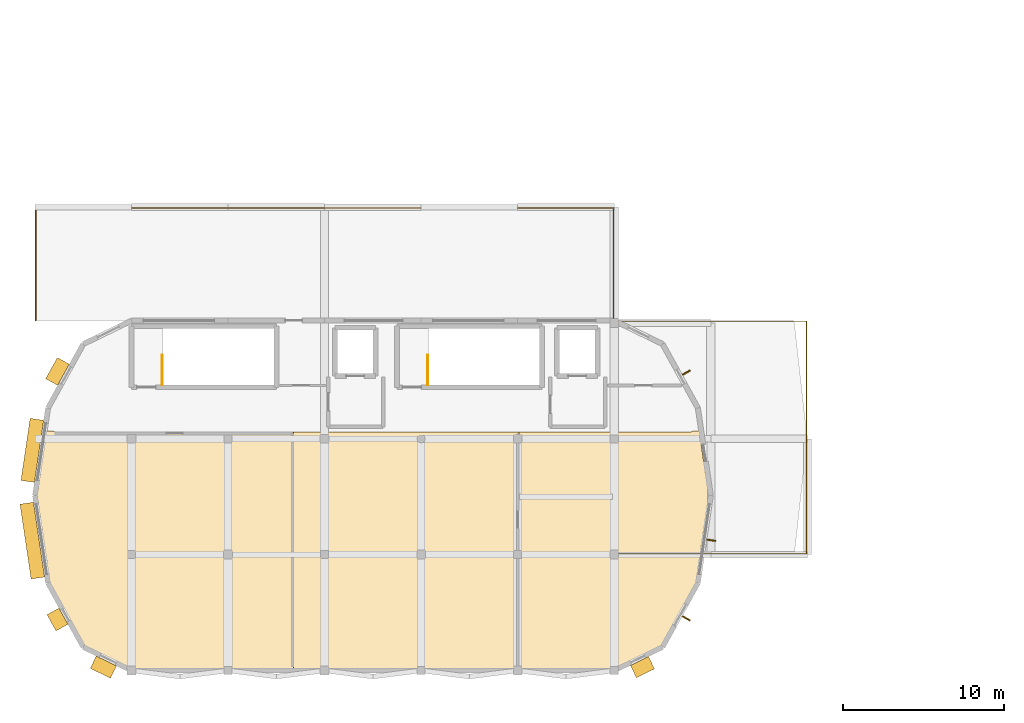
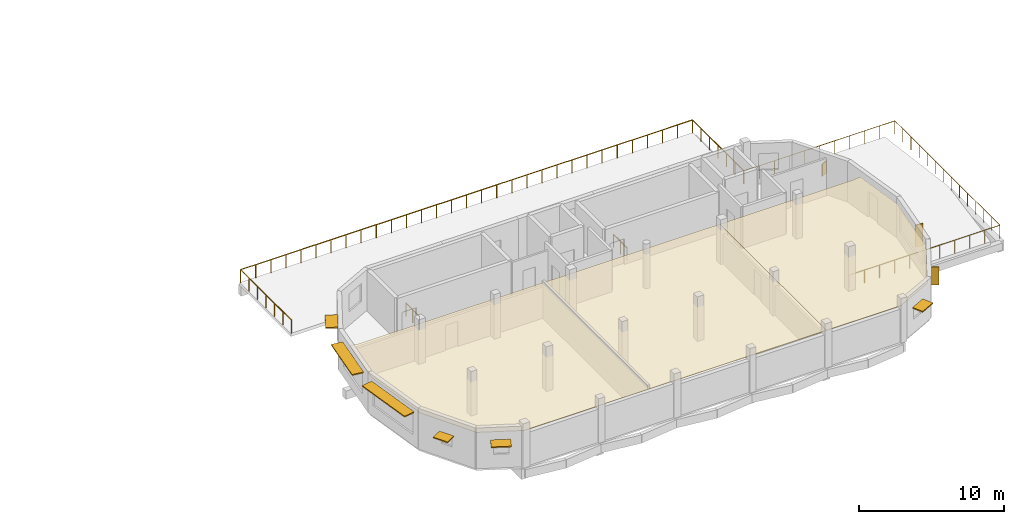
# One storey, part 4 of 4: 9 shading devices, 4 railings, 3 coverings.
"""IFC4 building model written with IfcOpenShell, lengths in metres."""

from ifc_helpers import new_model, si_unit, direction, frame, origin, origin_2d, place, context, subcontext, project, spatial, polyline, rectangle, circle, outline, extrude, material, layer, layer_set, type_object, element, save


model = new_model("IFC4")

# Units and contexts
model_context = context("Model", 3, precision=1e-05, world=origin(), true_north=direction((0.0, 1.0)))
body_context = subcontext(model_context, "Body", "Model", "MODEL_VIEW")
ifc_project = project(units=[si_unit("LENGTHUNIT", "METRE"), si_unit("AREAUNIT", "SQUARE_METRE"), si_unit("VOLUMEUNIT", "CUBIC_METRE"), si_unit("PLANEANGLEUNIT", "RADIAN"), si_unit("MASSUNIT", "GRAM", prefix="KILO")], contexts=[model_context])

# Site, building, storey
site_placement = place(None, origin())
site = spatial("IfcSite", under=ifc_project, at=site_placement, CompositionType="ELEMENT")
building_placement = place(site_placement, origin())
building = spatial("IfcBuilding", under=site, at=building_placement, Name="Dunvalen Ferry Terminal", CompositionType="ELEMENT")
storey_placement = place(building_placement, frame((0.0, 0.0, 17.320068359375)))
storey = spatial("IfcBuildingStorey", under=building, at=storey_placement, Name="L04", CompositionType="ELEMENT", Elevation=17.320068359375)

# Railings
ifc_material_1 = material(Name="Marine grade 316 stainless steel", Category="steel")
railing_type_1 = type_object("IfcRailingType", Name="ENV-RL-BAL112", PredefinedType="BALUSTRADE", material=ifc_material_1)
railing_1_placement = place(storey_placement, frame((54.0, 7.25, 0.0)))
element("IfcRailing", 1, at=railing_1_placement, inside=storey, type_object=railing_type_1, Name="L04 Outdoor Terrace Safety Guard GRD-V5L04-TERE", PredefinedType="BALUSTRADE", context=body_context, shape_type="SweptSolid", body=[
    extrude(circle(Radius=0.02392578125, at=origin_2d()), frame((0.0, 0.0, 1.09619140625), z_axis=(1.0, 0.0, 0.0), x_axis=(0.0, 1.0, 0.0)), (0.0, 0.0, 1.0), 11.949951171875),
    extrude(circle(Radius=0.02392578125, at=origin_2d()), frame((11.949951171875, 0.0, 1.09619140625), z_axis=(0.0, 1.0, 0.0), x_axis=(-1.0, 0.0, 0.0)), (0.0, 0.0, 1.0), 14.449951171875),
    extrude(circle(Radius=0.02392578125, at=origin_2d()), frame((11.949951171875, 14.449951171875, 1.09619140625), z_axis=(-1.0, 0.0, 0.0), x_axis=(0.0, -1.0, 0.0)), (0.0, 0.0, 1.0), 11.949951171875),
    extrude(circle(Radius=0.02099609375, at=origin_2d()), origin(), (0.0, 0.0, 1.0), 1.072021484375),
    extrude(circle(Radius=0.02099609375, at=origin_2d()), frame((1.195068359375, 0.0, 0.0)), (0.0, 0.0, 1.0), 1.072021484375),
    extrude(circle(Radius=0.02099609375, at=origin_2d()), frame((2.389892578125, 0.0, 0.0)), (0.0, 0.0, 1.0), 1.072021484375),
    extrude(circle(Radius=0.02099609375, at=origin_2d()), frame((3.5849609375, 0.0, 0.0)), (0.0, 0.0, 1.0), 1.072021484375),
    extrude(circle(Radius=0.02099609375, at=origin_2d()), frame((4.780029296875, 0.0, 0.0)), (0.0, 0.0, 1.0), 1.072021484375),
    extrude(circle(Radius=0.02099609375, at=origin_2d()), frame((5.97509765625, 0.0, 0.0)), (0.0, 0.0, 1.0), 1.072021484375),
    extrude(circle(Radius=0.02099609375, at=origin_2d()), frame((7.169921875, 0.0, 0.0)), (0.0, 0.0, 1.0), 1.072021484375),
    extrude(circle(Radius=0.02099609375, at=origin_2d()), frame((8.364990234375, 0.0, 0.0)), (0.0, 0.0, 1.0), 1.072021484375),
    extrude(circle(Radius=0.02099609375, at=origin_2d()), frame((9.56005859375, 0.0, 0.0)), (0.0, 0.0, 1.0), 1.072021484375),
    extrude(circle(Radius=0.02099609375, at=origin_2d()), frame((10.7548828125, 0.0, 0.0)), (0.0, 0.0, 1.0), 1.072021484375),
    extrude(circle(Radius=0.02099609375, at=origin_2d()), frame((11.949951171875, 0.0, 0.0)), (0.0, 0.0, 1.0), 1.072021484375),
    extrude(circle(Radius=0.02099609375, at=origin_2d()), frame((11.949951171875, 1.111572265625, 0.0)), (0.0, 0.0, 1.0), 1.072021484375),
    extrude(circle(Radius=0.02099609375, at=origin_2d()), frame((11.949951171875, 2.22314453125, 0.0)), (0.0, 0.0, 1.0), 1.072021484375),
    extrude(circle(Radius=0.02099609375, at=origin_2d()), frame((11.949951171875, 3.334716796875, 0.0)), (0.0, 0.0, 1.0), 1.072021484375),
    extrude(circle(Radius=0.02099609375, at=origin_2d()), frame((11.949951171875, 4.446044921875, 0.0)), (0.0, 0.0, 1.0), 1.072021484375),
    extrude(circle(Radius=0.02099609375, at=origin_2d()), frame((11.949951171875, 5.5576171875, 0.0)), (0.0, 0.0, 1.0), 1.072021484375),
    extrude(circle(Radius=0.02099609375, at=origin_2d()), frame((11.949951171875, 6.669189453125, 0.0)), (0.0, 0.0, 1.0), 1.072021484375),
    extrude(circle(Radius=0.02099609375, at=origin_2d()), frame((11.949951171875, 7.78076171875, 0.0)), (0.0, 0.0, 1.0), 1.072021484375),
    extrude(circle(Radius=0.02099609375, at=origin_2d()), frame((11.949951171875, 8.892333984375, 0.0)), (0.0, 0.0, 1.0), 1.072021484375),
    extrude(circle(Radius=0.02099609375, at=origin_2d()), frame((11.949951171875, 10.00390625, 0.0)), (0.0, 0.0, 1.0), 1.072021484375),
    extrude(circle(Radius=0.02099609375, at=origin_2d()), frame((11.949951171875, 11.115234375, 0.0)), (0.0, 0.0, 1.0), 1.072021484375),
    extrude(circle(Radius=0.02099609375, at=origin_2d()), frame((11.949951171875, 12.226806640625, 0.0)), (0.0, 0.0, 1.0), 1.072021484375),
    extrude(circle(Radius=0.02099609375, at=origin_2d()), frame((11.949951171875, 13.33837890625, 0.0)), (0.0, 0.0, 1.0), 1.072021484375),
    extrude(circle(Radius=0.02099609375, at=origin_2d()), frame((11.949951171875, 14.449951171875, 0.0)), (0.0, 0.0, 1.0), 1.072021484375),
    extrude(circle(Radius=0.02099609375, at=origin_2d()), frame((10.7548828125, 14.449951171875, 0.0)), (0.0, 0.0, 1.0), 1.072021484375),
    extrude(circle(Radius=0.02099609375, at=origin_2d()), frame((9.56005859375, 14.449951171875, 0.0)), (0.0, 0.0, 1.0), 1.072021484375),
    extrude(circle(Radius=0.02099609375, at=origin_2d()), frame((8.364990234375, 14.449951171875, 0.0)), (0.0, 0.0, 1.0), 1.072021484375),
    extrude(circle(Radius=0.02099609375, at=origin_2d()), frame((7.169921875, 14.449951171875, 0.0)), (0.0, 0.0, 1.0), 1.072021484375),
    extrude(circle(Radius=0.02099609375, at=origin_2d()), frame((5.97509765625, 14.449951171875, 0.0)), (0.0, 0.0, 1.0), 1.072021484375),
    extrude(circle(Radius=0.02099609375, at=origin_2d()), frame((4.780029296875, 14.449951171875, 0.0)), (0.0, 0.0, 1.0), 1.072021484375),
    extrude(circle(Radius=0.02099609375, at=origin_2d()), frame((3.5849609375, 14.449951171875, 0.0)), (0.0, 0.0, 1.0), 1.072021484375),
    extrude(circle(Radius=0.02099609375, at=origin_2d()), frame((2.389892578125, 14.449951171875, 0.0)), (0.0, 0.0, 1.0), 1.072021484375),
    extrude(circle(Radius=0.02099609375, at=origin_2d()), frame((1.195068359375, 14.449951171875, 0.0)), (0.0, 0.0, 1.0), 1.072021484375),
    extrude(circle(Radius=0.02099609375, at=origin_2d()), frame((0.0, 14.449951171875, 0.0)), (0.0, 0.0, 1.0), 1.072021484375),
])
railing_2_placement = place(storey_placement, frame((18.050048828125, 21.75, 0.0)))
element("IfcRailing", 2, at=railing_2_placement, inside=storey, type_object=railing_type_1, Name="L04 Outdoor Terrace Safety Guard GRD-V5L04-TERN", PredefinedType="BALUSTRADE", context=body_context, shape_type="SweptSolid", body=[
    extrude(circle(Radius=0.02392578125, at=origin_2d()), frame((0.0, 0.0, 1.09619140625), z_axis=(0.0, 1.0, 0.0), x_axis=(-1.0, 0.0, 0.0)), (0.0, 0.0, 1.0), 7.0),
    extrude(circle(Radius=0.02392578125, at=origin_2d()), frame((0.0, 7.0, 1.09619140625), z_axis=(1.0, 0.0, 0.0), x_axis=(0.0, 1.0, 0.0)), (0.0, 0.0, 1.0), 35.89990234375),
    extrude(circle(Radius=0.02392578125, at=origin_2d()), frame((35.89990234375, 7.0, 1.09619140625), z_axis=(0.0, -1.0, 0.0), x_axis=(1.0, 0.0, 0.0)), (0.0, 0.0, 1.0), 7.0),
    extrude(circle(Radius=0.02099609375, at=origin_2d()), origin(), (0.0, 0.0, 1.0), 1.072021484375),
    extrude(circle(Radius=0.02099609375, at=origin_2d()), frame((0.0, 1.166748046875, 0.0)), (0.0, 0.0, 1.0), 1.072021484375),
    extrude(circle(Radius=0.02099609375, at=origin_2d()), frame((0.0, 2.333251953125, 0.0)), (0.0, 0.0, 1.0), 1.072021484375),
    extrude(circle(Radius=0.02099609375, at=origin_2d()), frame((0.0, 3.5, 0.0)), (0.0, 0.0, 1.0), 1.072021484375),
    extrude(circle(Radius=0.02099609375, at=origin_2d()), frame((0.0, 4.666748046875, 0.0)), (0.0, 0.0, 1.0), 1.072021484375),
    extrude(circle(Radius=0.02099609375, at=origin_2d()), frame((0.0, 5.833251953125, 0.0)), (0.0, 0.0, 1.0), 1.072021484375),
    extrude(circle(Radius=0.02099609375, at=origin_2d()), frame((0.0, 7.0, 0.0)), (0.0, 0.0, 1.0), 1.072021484375),
    extrude(circle(Radius=0.02099609375, at=origin_2d()), frame((1.19677734375, 7.0, 0.0)), (0.0, 0.0, 1.0), 1.072021484375),
    extrude(circle(Radius=0.02099609375, at=origin_2d()), frame((2.393310546875, 7.0, 0.0)), (0.0, 0.0, 1.0), 1.072021484375),
    extrude(circle(Radius=0.02099609375, at=origin_2d()), frame((3.590087890625, 7.0, 0.0)), (0.0, 0.0, 1.0), 1.072021484375),
    extrude(circle(Radius=0.02099609375, at=origin_2d()), frame((4.78662109375, 7.0, 0.0)), (0.0, 0.0, 1.0), 1.072021484375),
    extrude(circle(Radius=0.02099609375, at=origin_2d()), frame((5.9833984375, 7.0, 0.0)), (0.0, 0.0, 1.0), 1.072021484375),
    extrude(circle(Radius=0.02099609375, at=origin_2d()), frame((7.179931640625, 7.0, 0.0)), (0.0, 0.0, 1.0), 1.072021484375),
    extrude(circle(Radius=0.02099609375, at=origin_2d()), frame((8.376708984375, 7.0, 0.0)), (0.0, 0.0, 1.0), 1.072021484375),
    extrude(circle(Radius=0.02099609375, at=origin_2d()), frame((9.5732421875, 7.0, 0.0)), (0.0, 0.0, 1.0), 1.072021484375),
    extrude(circle(Radius=0.02099609375, at=origin_2d()), frame((10.77001953125, 7.0, 0.0)), (0.0, 0.0, 1.0), 1.072021484375),
    extrude(circle(Radius=0.02099609375, at=origin_2d()), frame((11.966552734375, 7.0, 0.0)), (0.0, 0.0, 1.0), 1.072021484375),
    extrude(circle(Radius=0.02099609375, at=origin_2d()), frame((13.163330078125, 7.0, 0.0)), (0.0, 0.0, 1.0), 1.072021484375),
    extrude(circle(Radius=0.02099609375, at=origin_2d()), frame((14.35986328125, 7.0, 0.0)), (0.0, 0.0, 1.0), 1.072021484375),
    extrude(circle(Radius=0.02099609375, at=origin_2d()), frame((15.556640625, 7.0, 0.0)), (0.0, 0.0, 1.0), 1.072021484375),
    extrude(circle(Radius=0.02099609375, at=origin_2d()), frame((16.753173828125, 7.0, 0.0)), (0.0, 0.0, 1.0), 1.072021484375),
    extrude(circle(Radius=0.02099609375, at=origin_2d()), frame((17.949951171875, 7.0, 0.0)), (0.0, 0.0, 1.0), 1.072021484375),
    extrude(circle(Radius=0.02099609375, at=origin_2d()), frame((19.146728515625, 7.0, 0.0)), (0.0, 0.0, 1.0), 1.072021484375),
    extrude(circle(Radius=0.02099609375, at=origin_2d()), frame((20.34326171875, 7.0, 0.0)), (0.0, 0.0, 1.0), 1.072021484375),
    extrude(circle(Radius=0.02099609375, at=origin_2d()), frame((21.5400390625, 7.0, 0.0)), (0.0, 0.0, 1.0), 1.072021484375),
    extrude(circle(Radius=0.02099609375, at=origin_2d()), frame((22.736572265625, 7.0, 0.0)), (0.0, 0.0, 1.0), 1.072021484375),
    extrude(circle(Radius=0.02099609375, at=origin_2d()), frame((23.933349609375, 7.0, 0.0)), (0.0, 0.0, 1.0), 1.072021484375),
    extrude(circle(Radius=0.02099609375, at=origin_2d()), frame((25.1298828125, 7.0, 0.0)), (0.0, 0.0, 1.0), 1.072021484375),
    extrude(circle(Radius=0.02099609375, at=origin_2d()), frame((26.32666015625, 7.0, 0.0)), (0.0, 0.0, 1.0), 1.072021484375),
    extrude(circle(Radius=0.02099609375, at=origin_2d()), frame((27.523193359375, 7.0, 0.0)), (0.0, 0.0, 1.0), 1.072021484375),
    extrude(circle(Radius=0.02099609375, at=origin_2d()), frame((28.719970703125, 7.0, 0.0)), (0.0, 0.0, 1.0), 1.072021484375),
    extrude(circle(Radius=0.02099609375, at=origin_2d()), frame((29.91650390625, 7.0, 0.0)), (0.0, 0.0, 1.0), 1.072021484375),
    extrude(circle(Radius=0.02099609375, at=origin_2d()), frame((31.11328125, 7.0, 0.0)), (0.0, 0.0, 1.0), 1.072021484375),
    extrude(circle(Radius=0.02099609375, at=origin_2d()), frame((32.309814453125, 7.0, 0.0)), (0.0, 0.0, 1.0), 1.072021484375),
    extrude(circle(Radius=0.02099609375, at=origin_2d()), frame((33.506591796875, 7.0, 0.0)), (0.0, 0.0, 1.0), 1.072021484375),
    extrude(circle(Radius=0.02099609375, at=origin_2d()), frame((34.703125, 7.0, 0.0)), (0.0, 0.0, 1.0), 1.072021484375),
    extrude(circle(Radius=0.02099609375, at=origin_2d()), frame((35.89990234375, 7.0, 0.0)), (0.0, 0.0, 1.0), 1.072021484375),
    extrude(circle(Radius=0.02099609375, at=origin_2d()), frame((35.89990234375, 5.833251953125, 0.0)), (0.0, 0.0, 1.0), 1.072021484375),
    extrude(circle(Radius=0.02099609375, at=origin_2d()), frame((35.89990234375, 4.666748046875, 0.0)), (0.0, 0.0, 1.0), 1.072021484375),
    extrude(circle(Radius=0.02099609375, at=origin_2d()), frame((35.89990234375, 3.5, 0.0)), (0.0, 0.0, 1.0), 1.072021484375),
    extrude(circle(Radius=0.02099609375, at=origin_2d()), frame((35.89990234375, 2.333251953125, 0.0)), (0.0, 0.0, 1.0), 1.072021484375),
    extrude(circle(Radius=0.02099609375, at=origin_2d()), frame((35.89990234375, 1.166748046875, 0.0)), (0.0, 0.0, 1.0), 1.072021484375),
    extrude(circle(Radius=0.02099609375, at=origin_2d()), frame((35.89990234375, 0.0, 0.0)), (0.0, 0.0, 1.0), 1.072021484375),
])

# Shading devices
ifc_material_2 = material(Name="Anodised marine aluminium EN AW-6063 T6", Category="aluminium")
ifc_layer_1 = layer(ifc_material_2, 0.090087890625, Name="Anodised marine aluminium EN AW-6063 T6")
ifc_layer_set_1 = layer_set([ifc_layer_1], Name="Anodised marine aluminium EN AW-6063 T6")
shading_device_type_1 = type_object("IfcShadingDeviceType", Name="ENV-SHD-AWN01", PredefinedType="AWNING", material=ifc_layer_set_1)
shading_device_1_placement = place(storey_placement, frame((55.75390625, 0.205810546875, 2.134765625), z_axis=(0.0, 0.0, 1.0), x_axis=(0.899524991819, 0.436869304361, 0.0)))
element("IfcShadingDevice", 3, at=shading_device_1_placement, inside=storey, type_object=shading_device_type_1, Name="L04 Streamline Brise-Soleil Eyebrow 046", PredefinedType="AWNING", context=body_context, shape_type="SweptSolid", body=[
    extrude(rectangle(XDim=1.25, YDim=0.85009765625, at=origin_2d()), origin(), (0.0, 0.0, 1.0), 0.090087890625),
])
shading_device_2_placement = place(storey_placement, frame((19.393310546875, 18.58349609375, 2.384765625), z_axis=(0.0, 0.0, 1.0), x_axis=(-0.483087809782, -0.87557190912, 0.0)))
element("IfcShadingDevice", 4, at=shading_device_2_placement, inside=storey, type_object=shading_device_type_1, Name="L04 Streamline Brise-Soleil Eyebrow 050", PredefinedType="AWNING", context=body_context, shape_type="SweptSolid", body=[
    extrude(rectangle(XDim=1.5, YDim=0.85009765625, at=origin_2d()), origin(), (0.0, 0.0, 1.0), 0.090087890625),
])
shading_device_3_placement = place(storey_placement, frame((17.8271484375, 13.6787109375, 2.78466796875), z_axis=(0.0, 0.0, 1.0), x_axis=(-0.146236123217, -0.989249713807, 0.0)))
element("IfcShadingDevice", 5, at=shading_device_3_placement, inside=storey, type_object=shading_device_type_1, Name="L04 Streamline Brise-Soleil Eyebrow 051", PredefinedType="AWNING", context=body_context, shape_type="SweptSolid", body=[
    extrude(rectangle(XDim=3.89990234375, YDim=0.85009765625, at=origin_2d()), origin(), (0.0, 0.0, 1.0), 0.090087890625),
])
shading_device_4_placement = place(storey_placement, frame((17.8271484375, 8.0712890625, 2.78466796875), z_axis=(0.0, 0.0, 1.0), x_axis=(0.146236123217, -0.989249713807, 0.0)))
element("IfcShadingDevice", 6, at=shading_device_4_placement, inside=storey, type_object=shading_device_type_1, Name="L04 Streamline Brise-Soleil Eyebrow 052", PredefinedType="AWNING", context=body_context, shape_type="SweptSolid", body=[
    extrude(rectangle(XDim=4.699951171875, YDim=0.85009765625, at=origin_2d()), origin(), (0.0, 0.0, 1.0), 0.090087890625),
])
shading_device_5_placement = place(storey_placement, frame((19.393310546875, 3.16650390625, 2.03466796875), z_axis=(0.0, 0.0, 1.0), x_axis=(0.483087809782, -0.87557190912, 0.0)))
element("IfcShadingDevice", 7, at=shading_device_5_placement, inside=storey, type_object=shading_device_type_1, Name="L04 Streamline Brise-Soleil Eyebrow 053", PredefinedType="AWNING", context=body_context, shape_type="SweptSolid", body=[
    extrude(rectangle(XDim=1.14990234375, YDim=0.85009765625, at=origin_2d()), origin(), (0.0, 0.0, 1.0), 0.090087890625),
])
shading_device_6_placement = place(storey_placement, frame((22.24609375, 0.205810546875, 2.28466796875), z_axis=(0.0, 0.0, 1.0), x_axis=(0.899524991819, -0.436869304361, 0.0)))
element("IfcShadingDevice", 8, at=shading_device_6_placement, inside=storey, type_object=shading_device_type_1, Name="L04 Streamline Brise-Soleil Eyebrow 054", PredefinedType="AWNING", context=body_context, shape_type="SweptSolid", body=[
    extrude(rectangle(XDim=1.39990234375, YDim=0.85009765625, at=origin_2d()), origin(), (0.0, 0.0, 1.0), 0.090087890625),
])
ifc_layer_2 = layer(ifc_material_2, 0.080078125, Name="Anodised marine aluminium EN AW-6063 T6")
ifc_layer_set_2 = layer_set([ifc_layer_2], Name="Anodised marine aluminium EN AW-6063 T6")
shading_device_type_2 = type_object("IfcShadingDeviceType", Name="ENV-SHD-FIN01", PredefinedType="USERDEFINED", material=ifc_layer_set_2)
shading_device_7_placement = place(storey_placement, frame((58.4755859375, 3.239013671875, 1.14990234375), z_axis=(0.0, 0.0, 1.0), x_axis=(0.483087809782, 0.87557190912, 0.0)))
element("IfcShadingDevice", 9, at=shading_device_7_placement, inside=storey, type_object=shading_device_type_2, Name="L04 East Solar Fin 047", ObjectType="SOLAR FIN", PredefinedType="USERDEFINED", context=body_context, shape_type="SweptSolid", body=[
    extrude(rectangle(XDim=0.080078125, YDim=0.550048828125, at=origin_2d()), origin(), (0.0, 0.0, 1.0), 1.5),
])
shading_device_8_placement = place(storey_placement, frame((60.0244140625, 8.09326171875, 0.89990234375), z_axis=(0.0, 0.0, 1.0), x_axis=(0.146236123217, 0.989249713807, 0.0)))
element("IfcShadingDevice", 10, at=shading_device_8_placement, inside=storey, type_object=shading_device_type_2, Name="L04 East Solar Fin 048", ObjectType="SOLAR FIN", PredefinedType="USERDEFINED", context=body_context, shape_type="SweptSolid", body=[
    extrude(rectangle(XDim=0.080078125, YDim=0.550048828125, at=origin_2d()), origin(), (0.0, 0.0, 1.0), 1.85009765625),
])
shading_device_9_placement = place(storey_placement, frame((58.4755859375, 18.510986328125, 1.14990234375), z_axis=(0.0, 0.0, 1.0), x_axis=(-0.483087809782, 0.87557190912, 0.0)))
element("IfcShadingDevice", 11, at=shading_device_9_placement, inside=storey, type_object=shading_device_type_2, Name="L04 East Solar Fin 049", ObjectType="SOLAR FIN", PredefinedType="USERDEFINED", context=body_context, shape_type="SweptSolid", body=[
    extrude(rectangle(XDim=0.080078125, YDim=0.550048828125, at=origin_2d()), origin(), (0.0, 0.0, 1.0), 1.0),
])

# Coverings
ifc_material_3 = material(Name="Perforated marine aluminium acoustic baffle ceiling", Category="aluminium")
ifc_layer_3 = layer(ifc_material_3, 0.0400390625, Name="Perforated marine aluminium acoustic baffle ceiling")
ifc_layer_set_3 = layer_set([ifc_layer_3], Name="Perforated marine aluminium acoustic baffle ceiling")
covering_type_1 = type_object("IfcCoveringType", Name="INT-COV-CLG01", PredefinedType="CEILING", material=ifc_layer_set_3)
covering_1_placement = place(storey_placement, frame((0.0, 0.0, 2.809814453125)))
element("IfcCovering", 12, at=covering_1_placement, inside=storey, type_object=covering_type_1, Name="L04 Harbourmaster Office and Chart Conference Suite Acoustic Suspended Ceiling", PredefinedType="CEILING", context=body_context, shape_type="SweptSolid", body=[
    extrude(outline(polyline([(18.13134765625, 10.875), (18.928955078125, 5.479736328125), (21.093994140625, 1.555908203125), (24.02978515625, 0.1298828125), (34.090087890625, 0.1298828125), (34.090087890625, 14.830078125), (19.220458984375, 14.830078125), (19.095703125, 14.889892578125), (18.724853515625, 14.889892578125), (18.13134765625, 10.875)])), origin(), (0.0, 0.0, 1.0), 0.0400390625),
])
covering_2_placement = place(storey_placement, frame((0.0, 0.0, 2.809814453125)))
element("IfcCovering", 13, at=covering_2_placement, inside=storey, type_object=covering_type_1, Name="L04 Marine Incident Command and Coastguard Liaison Room Acoustic Suspended Ceiling", PredefinedType="CEILING", context=body_context, shape_type="SweptSolid", body=[
    extrude(outline(polyline([(48.070068359375, 0.1298828125), (53.97021484375, 0.1298828125), (56.906005859375, 1.555908203125), (59.071044921875, 5.479736328125), (59.86865234375, 10.875), (59.275146484375, 14.889892578125), (58.902099609375, 14.889892578125), (58.79296875, 14.830810546875), (48.070068359375, 14.830078125), (48.070068359375, 0.1298828125)])), origin(), (0.0, 0.0, 1.0), 0.0400390625),
])
ifc_material_4 = material(Name="Moisture-resistant mineral-fibre acoustic ceiling", Category="gypsum")
ifc_layer_4 = layer(ifc_material_4, 0.050048828125, Name="Moisture-resistant mineral-fibre acoustic ceiling")
ifc_layer_set_4 = layer_set([ifc_layer_4], Name="Moisture-resistant mineral-fibre acoustic ceiling")
covering_type_2 = type_object("IfcCoveringType", Name="INT-COV-CLG02", PredefinedType="CEILING", material=ifc_layer_set_4)
covering_3_placement = place(storey_placement, frame((0.0, 0.0, 2.800048828125)))
element("IfcCovering", 14, at=covering_3_placement, inside=storey, type_object=covering_type_2, Name="L04 Vessel Traffic Services Navigation Bridge Acoustic Suspended Ceiling", PredefinedType="CEILING", context=body_context, shape_type="SweptSolid", body=[
    extrude(outline(polyline([(34.070068359375, 0.1298828125), (48.090087890625, 0.1298828125), (48.090087890625, 14.830078125), (34.070068359375, 14.830078125), (34.070068359375, 0.1298828125)])), origin(), (0.0, 0.0, 1.0), 0.0498046875),
])

# Railings
ifc_material_5 = material(Name="Painted galvanised steel S275", Category="steel")
railing_type_2 = type_object("IfcRailingType", Name="INT-RL-STGRD", PredefinedType="GUARDRAIL", material=ifc_material_5)
for number, where, name in (
    (15, (25.89990234375, 17.75, 0.0), "L04 ST1 top well guard 1"),
    (16, (42.39990234375, 17.75, 0.0), "L04 ST2 top well guard 1"),
):
    element("IfcRailing", number, at=place(storey_placement, frame(where)), inside=storey, type_object=railing_type_2, Name=name, PredefinedType="GUARDRAIL", context=body_context, shape_type="SweptSolid", body=[
        extrude(circle(Radius=0.02392578125, at=origin_2d()), frame((0.0, 0.0, 1.076171875), z_axis=(0.0, 1.0, 0.0), x_axis=(-1.0, 0.0, 0.0)), (0.0, 0.0, 1.0), 1.85009765625),
        extrude(circle(Radius=0.02099609375, at=origin_2d()), origin(), (0.0, 0.0, 1.0), 1.052001953125),
        extrude(circle(Radius=0.02099609375, at=origin_2d()), frame((0.0, 0.925048828125, 0.0)), (0.0, 0.0, 1.0), 1.052001953125),
        extrude(circle(Radius=0.02099609375, at=origin_2d()), frame((0.0, 1.85009765625, 0.0)), (0.0, 0.0, 1.0), 1.052001953125),
    ])

save(model, "model.ifc")
